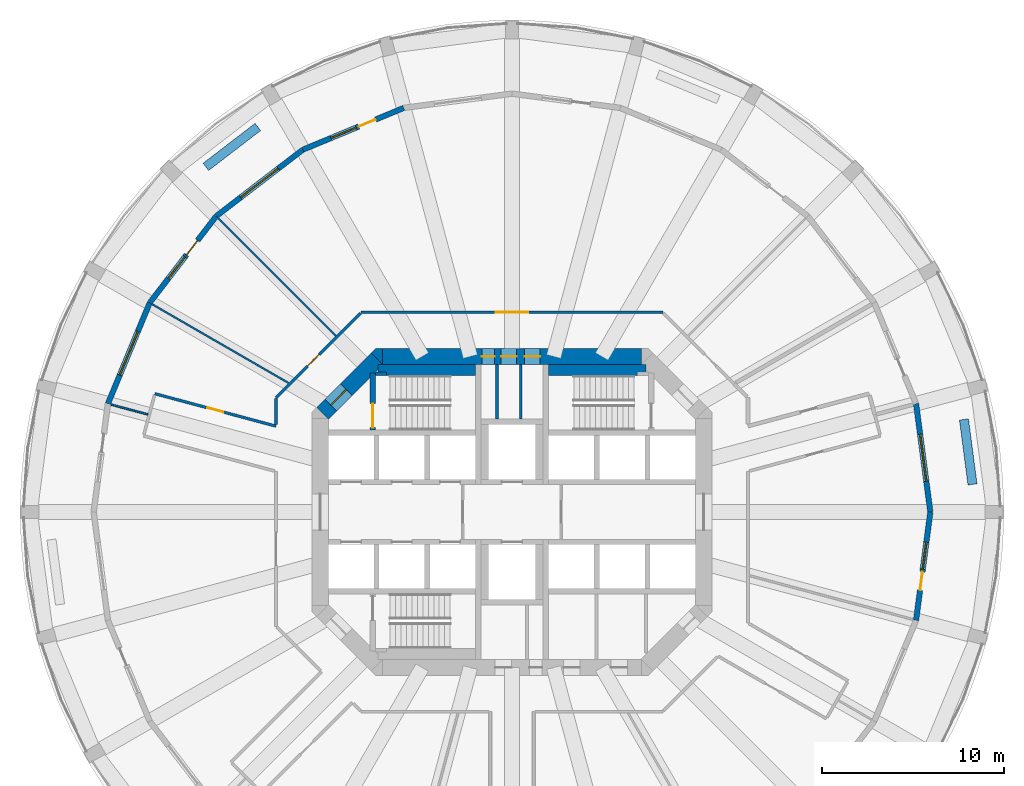
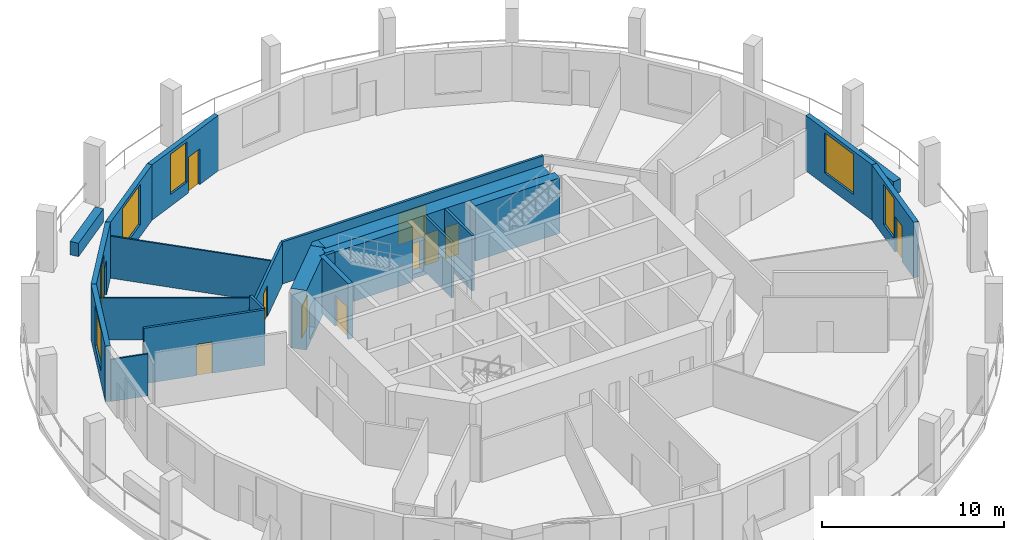
# One storey, part 5 of 9: 24 walls, 11 doors, 6 windows, 17 openings.
"""IFC4 building model written with IfcOpenShell, lengths in metres."""

from ifc_helpers import new_model, si_unit, direction, frame, frame_2d, origin, place, context, subcontext, project, spatial, polyline, rectangle, outline, extrude, material, layer, layer_set, type_object, element, fill, save


model = new_model("IFC4")

# Units and contexts
model_context = context("Model", 3, precision=1e-05, world=origin(), true_north=direction((0.0, 1.0)))
body_context = subcontext(model_context, "Body", "Model", "MODEL_VIEW")
ifc_project = project(units=[si_unit("LENGTHUNIT", "METRE"), si_unit("AREAUNIT", "SQUARE_METRE"), si_unit("VOLUMEUNIT", "CUBIC_METRE"), si_unit("PLANEANGLEUNIT", "RADIAN"), si_unit("MASSUNIT", "GRAM", prefix="KILO")], contexts=[model_context])

# Site, building, storey
site_placement = place(None, origin())
site = spatial("IfcSite", under=ifc_project, at=site_placement, CompositionType="ELEMENT")
building_placement = place(site_placement, origin())
building = spatial("IfcBuilding", under=site, at=building_placement, Name="Torre Triforio", CompositionType="ELEMENT")
storey_placement = place(building_placement, frame((0.0, 0.0, 39.0)))
storey = spatial("IfcBuildingStorey", under=building, at=storey_placement, Name="L07", CompositionType="ELEMENT", Elevation=39.0)

# Wall, openings, doors
ifc_material_1 = material(Name="Concrete C60", Category="concrete")
ifc_layer_1 = layer(ifc_material_1, 0.89990234375)
ifc_layer_set_1 = layer_set([ifc_layer_1], Name="Concrete C60")
wall_type_1 = type_object("IfcWallType", Name="Core wall 900 mm C60 EI 120", PredefinedType="SHEAR", material=ifc_layer_set_1)
wall_1_placement = place(storey_placement, frame((-7.1298828125, 8.550048828125, -0.280029296875), z_axis=(0.0, 0.0, 1.0), x_axis=(1.0, 0.0, 0.0)))
wall_1 = element("IfcWall", 1, at=wall_1_placement, inside=storey, type_object=wall_type_1, Name="Core wall", PredefinedType="SHEAR", context=body_context, shape_type="SweptSolid", body=[
    extrude(rectangle(XDim=14.259765625, YDim=0.89990234375, at=frame_2d((7.1298828125, 0.0))), origin(), (0.0, 0.0, 1.0), 4.0),
])
opening_1_placement = place(wall_1_placement, frame((5.47998046875, 0.0, 0.280029296875)))
opening_1 = element("IfcOpeningElement", 2, at=opening_1_placement, cuts=wall_1, Name="Opening RISER-N", PredefinedType="OPENING", context=body_context, shape_type="SweptSolid", body=[
    extrude(rectangle(XDim=0.699951171875, YDim=2.10009765625, at=frame_2d((0.35009765625, 1.050048828125))), frame((0.0, 0.4599609375, 0.0), z_axis=(0.0, -1.0, 0.0), x_axis=(1.0, 0.0, 0.0)), (0.0, 0.0, 1.0), 0.919921875),
])
opening_2_placement = place(wall_1_placement, frame((6.530029296875, 0.0, 0.280029296875)))
opening_2 = element("IfcOpeningElement", 3, at=opening_2_placement, cuts=wall_1, Name="Opening NE-01A", PredefinedType="OPENING", context=body_context, shape_type="SweptSolid", body=[
    extrude(rectangle(XDim=0.85009765625, YDim=2.10009765625, at=frame_2d((0.425048828125, 1.050048828125))), frame((0.0, 0.4599609375, 0.0), z_axis=(0.0, -1.0, 0.0), x_axis=(1.0, 0.0, 0.0)), (0.0, 0.0, 1.0), 0.919921875),
])
opening_3_placement = place(wall_1_placement, frame((7.830078125, 0.0, 0.280029296875)))
opening_3 = element("IfcOpeningElement", 4, at=opening_3_placement, cuts=wall_1, Name="Opening NE-02", PredefinedType="OPENING", context=body_context, shape_type="SweptSolid", body=[
    extrude(rectangle(XDim=0.85009765625, YDim=2.10009765625, at=frame_2d((0.425048828125, 1.050048828125))), frame((0.0, 0.4599609375, 0.0), z_axis=(0.0, -1.0, 0.0), x_axis=(1.0, 0.0, 0.0)), (0.0, 0.0, 1.0), 0.919921875),
])
ifc_material_2 = material(Name="Hollow metal fire door leaf")
door_type_1 = type_object("IfcDoorType", Name="Plant room door 850 x 2100 EI 60", OperationType="NOTDEFINED", PredefinedType="DOOR", material=ifc_material_2)
door_1_placement = place(opening_3_placement, origin())
door_1 = element("IfcDoor", 5, at=door_1_placement, inside=storey, type_object=door_type_1, Name="Core door NE-02", OperationType="SINGLE_SWING_RIGHT", OverallHeight=2.10009765625, OverallWidth=0.85009765625, PredefinedType="DOOR", context=body_context, shape_type="SweptSolid", body=[
    extrude(rectangle(XDim=0.85009765625, YDim=2.10009765625, at=frame_2d((0.425048828125, 1.050048828125))), frame((0.0, 0.02490234375, 0.0), z_axis=(0.0, -1.0, 0.0), x_axis=(1.0, 0.0, 0.0)), (0.0, 0.0, 1.0), 0.050048828125),
])
fill(opening_3, door_1)
door_type_2 = type_object("IfcDoorType", Name="Riser door 700 x 2100 EI 60", OperationType="NOTDEFINED", PredefinedType="DOOR", material=ifc_material_2)
door_2_placement = place(opening_1_placement, origin())
door_2 = element("IfcDoor", 6, at=door_2_placement, inside=storey, type_object=door_type_2, Name="Core door RISER-N", OperationType="SINGLE_SWING_LEFT", OverallHeight=2.10009765625, OverallWidth=0.699951171875, PredefinedType="DOOR", context=body_context, shape_type="SweptSolid", body=[
    extrude(rectangle(XDim=0.699951171875, YDim=2.10009765625, at=frame_2d((0.35009765625, 1.050048828125))), frame((0.0, 0.02490234375, 0.0), z_axis=(0.0, -1.0, 0.0), x_axis=(1.0, 0.0, 0.0)), (0.0, 0.0, 1.0), 0.050048828125),
])
fill(opening_1, door_2)
door_type_3 = type_object("IfcDoorType", Name="Room door 850 x 2100 EI 60", OperationType="NOTDEFINED", PredefinedType="DOOR", material=ifc_material_2)
door_3_placement = place(opening_2_placement, origin())
door_3 = element("IfcDoor", 7, at=door_3_placement, inside=storey, type_object=door_type_3, Name="Core door NE-01", OperationType="SINGLE_SWING_LEFT", OverallHeight=2.10009765625, OverallWidth=0.85009765625, PredefinedType="DOOR", context=body_context, shape_type="SweptSolid", body=[
    extrude(rectangle(XDim=0.85009765625, YDim=2.10009765625, at=frame_2d((0.425048828125, 1.050048828125))), frame((0.0, 0.02490234375, 0.0), z_axis=(0.0, -1.0, 0.0), x_axis=(1.0, 0.0, 0.0)), (0.0, 0.0, 1.0), 0.050048828125),
])
fill(opening_2, door_3)

# Wall, opening, door
wall_2_placement = place(storey_placement, frame((-10.418212890625, 5.418212890625, -0.280029296875), z_axis=(0.0, 0.0, 1.0), x_axis=(0.707106781187, 0.707106781187, 0.0)))
wall_2 = element("IfcWall", 8, at=wall_2_placement, inside=storey, type_object=wall_type_1, Name="Core wall", PredefinedType="SHEAR", context=body_context, shape_type="SweptSolid", body=[
    extrude(rectangle(XDim=4.24267578125, YDim=0.89990234375, at=frame_2d((2.121337890625, 0.0))), origin(), (0.0, 0.0, 1.0), 4.0),
])
opening_4_placement = place(wall_2_placement, frame((0.64990234375, 0.0, 0.280029296875)))
opening_4 = element("IfcOpeningElement", 9, at=opening_4_placement, cuts=wall_2, Name="Opening ST1-EXIT", PredefinedType="OPENING", context=body_context, shape_type="SweptSolid", body=[
    extrude(rectangle(XDim=1.199951171875, YDim=2.10009765625, at=frame_2d((0.60009765625, 1.050048828125))), frame((0.0, 0.4599609375, 0.0), z_axis=(0.0, -1.0, 0.0), x_axis=(1.0, 0.0, 0.0)), (0.0, 0.0, 1.0), 0.919921875),
])
door_type_4 = type_object("IfcDoorType", Name="Stair lobby door 1200 x 2100 EI 60", OperationType="NOTDEFINED", PredefinedType="DOOR", material=ifc_material_2)
door_4_placement = place(opening_4_placement, origin())
door_4 = element("IfcDoor", 10, at=door_4_placement, inside=storey, type_object=door_type_4, Name="Core door ST1-EXIT", OperationType="SINGLE_SWING_RIGHT", OverallHeight=2.10009765625, OverallWidth=1.199951171875, PredefinedType="DOOR", context=body_context, shape_type="SweptSolid", body=[
    extrude(rectangle(XDim=1.199951171875, YDim=2.10009765625, at=frame_2d((0.60009765625, 1.050048828125))), frame((0.0, 0.02490234375, 0.0), z_axis=(0.0, -1.0, 0.0), x_axis=(1.0, 0.0, 0.0)), (0.0, 0.0, 1.0), 0.050048828125),
])
fill(opening_4, door_4)

# Wall
wall_3_placement = place(storey_placement, frame((0.0, 0.0, -0.280029296875)))
element("IfcWall", 11, at=wall_3_placement, inside=storey, type_object=wall_type_1, Name="Core wall", PredefinedType="SHEAR", context=body_context, shape_type="SweptSolid", body=[
    extrude(outline(polyline([(-7.472900390625, 9.0), (-7.1298828125, 9.0), (-7.1298828125, 8.1298828125), (-7.736328125, 8.736328125), (-7.472900390625, 9.0)])), origin(), (0.0, 0.0, 1.0), 4.0),
])

# Wall, opening, door
ifc_material_3 = material(Name="Plasterboard on metal studs")
ifc_layer_2 = layer(ifc_material_3, 0.14990234375)
ifc_layer_set_2 = layer_set([ifc_layer_2], Name="Plasterboard on metal studs")
wall_type_2 = type_object("IfcWallType", Name="Corridor and tenancy wall 150 mm EI 60", PredefinedType="PARTITIONING", material=ifc_layer_set_2)
wall_4_placement = place(storey_placement, frame((-19.634521484375, 6.50341796875, 0.0), z_axis=(0.0, 0.0, 1.0), x_axis=(0.965924499418, -0.258823997003, 0.0)))
wall_4 = element("IfcWall", 12, at=wall_4_placement, inside=storey, type_object=wall_type_2, Name="Partition 17", PredefinedType="PARTITIONING", context=body_context, shape_type="SweptSolid", body=[
    extrude(rectangle(XDim=6.894287109375, YDim=0.14990234375, at=frame_2d((3.447265625, 0.0))), origin(), (0.0, 0.0, 1.0), 3.719970703125),
])
opening_5_placement = place(wall_4_placement, frame((2.997314453125, 0.0, 0.0)))
opening_5 = element("IfcOpeningElement", 13, at=opening_5_placement, cuts=wall_4, Name="Opening N2-03", PredefinedType="OPENING", context=body_context, shape_type="SweptSolid", body=[
    extrude(rectangle(XDim=0.89990234375, YDim=2.10009765625, at=frame_2d((0.449951171875, 1.050048828125))), frame((0.0, 0.0849609375, 0.0), z_axis=(0.0, -1.0, 0.0), x_axis=(1.0, 0.0, 0.0)), (0.0, 0.0, 1.0), 0.169921875),
])
ifc_material_4 = material(Name="Timber", Category="wood")
door_type_5 = type_object("IfcDoorType", Name="Door 900 x 2100 single leaf EI 30", OperationType="NOTDEFINED", PredefinedType="DOOR", material=ifc_material_4)
door_5_placement = place(opening_5_placement, origin())
door_5 = element("IfcDoor", 14, at=door_5_placement, inside=storey, type_object=door_type_5, Name="Door N2-03", OperationType="SINGLE_SWING_LEFT", OverallHeight=2.10009765625, OverallWidth=0.89990234375, PredefinedType="DOOR", context=body_context, shape_type="SweptSolid", body=[
    extrude(rectangle(XDim=0.89990234375, YDim=2.10009765625, at=frame_2d((0.449951171875, 1.050048828125))), frame((0.0, 0.02490234375, 0.0), z_axis=(0.0, -1.0, 0.0), x_axis=(1.0, 0.0, 0.0)), (0.0, 0.0, 1.0), 0.050048828125),
])
fill(opening_5, door_5)

# Wall
wall_5_placement = place(storey_placement, frame((-12.97509765625, 4.81640625, 0.0), z_axis=(0.0, 0.0, 1.0), x_axis=(0.0, 1.0, 0.0)))
element("IfcWall", 15, at=wall_5_placement, inside=storey, type_object=wall_type_2, Name="Partition 18", PredefinedType="PARTITIONING", context=body_context, shape_type="SweptSolid", body=[
    extrude(rectangle(XDim=1.421875, YDim=0.14990234375, at=frame_2d((0.7109375, 0.0))), origin(), (0.0, 0.0, 1.0), 3.719970703125),
])

# Wall, opening, door
wall_6_placement = place(storey_placement, frame((-12.97509765625, 6.291015625, 0.0), z_axis=(0.0, 0.0, 1.0), x_axis=(0.707125355289, 0.707088206597, 0.0)))
wall_6 = element("IfcWall", 16, at=wall_6_placement, inside=storey, type_object=wall_type_2, Name="Partition 19", PredefinedType="PARTITIONING", context=body_context, shape_type="SweptSolid", body=[
    extrude(rectangle(XDim=6.572021484375, YDim=0.14990234375, at=frame_2d((3.2861328125, 0.0))), origin(), (0.0, 0.0, 1.0), 2.820068359375),
])
opening_6_placement = place(wall_6_placement, frame((2.450439453125, 0.0, 0.0)))
opening_6 = element("IfcOpeningElement", 17, at=opening_6_placement, cuts=wall_6, Name="Opening N2-02", PredefinedType="OPENING", context=body_context, shape_type="SweptSolid", body=[
    extrude(rectangle(XDim=0.89990234375, YDim=2.10009765625, at=frame_2d((0.449951171875, 1.050048828125))), frame((0.0, 0.0849609375, 0.0), z_axis=(0.0, -1.0, 0.0), x_axis=(1.0, 0.0, 0.0)), (0.0, 0.0, 1.0), 0.169921875),
])
door_6_placement = place(opening_6_placement, origin())
door_6 = element("IfcDoor", 18, at=door_6_placement, inside=storey, type_object=door_type_5, Name="Door N2-02", OperationType="SINGLE_SWING_LEFT", OverallHeight=2.10009765625, OverallWidth=0.89990234375, PredefinedType="DOOR", context=body_context, shape_type="SweptSolid", body=[
    extrude(rectangle(XDim=0.89990234375, YDim=2.10009765625, at=frame_2d((0.449951171875, 1.050048828125))), frame((0.0, 0.02490234375, 0.0), z_axis=(0.0, -1.0, 0.0), x_axis=(1.0, 0.0, 0.0)), (0.0, 0.0, 1.0), 0.050048828125),
])
fill(opening_6, door_6)

wall_7_placement = place(storey_placement, frame((-8.291015625, 10.97509765625, 0.0), z_axis=(0.0, 0.0, 1.0), x_axis=(1.0, 0.0, 0.0)))
wall_7 = element("IfcWall", 19, at=wall_7_placement, inside=storey, type_object=wall_type_2, Name="Partition 20", PredefinedType="PARTITIONING", context=body_context, shape_type="SweptSolid", body=[
    extrude(rectangle(XDim=16.58203125, YDim=0.14990234375, at=frame_2d((8.291015625, 0.0))), origin(), (0.0, 0.0, 1.0), 2.820068359375),
])
opening_7_placement = place(wall_7_placement, frame((7.390869140625, 0.0, 0.0)))
opening_7 = element("IfcOpeningElement", 20, at=opening_7_placement, cuts=wall_7, Name="Opening N2-01", PredefinedType="OPENING", context=body_context, shape_type="SweptSolid", body=[
    extrude(rectangle(XDim=1.800048828125, YDim=2.10009765625, at=frame_2d((0.89990234375, 1.050048828125))), frame((0.0, 0.0849609375, 0.0), z_axis=(0.0, -1.0, 0.0), x_axis=(1.0, 0.0, 0.0)), (0.0, 0.0, 1.0), 0.169921875),
])
door_type_6 = type_object("IfcDoorType", Name="Door 1800 x 2100 double leaf EI 30", OperationType="DOUBLE_DOOR_SINGLE_SWING", PredefinedType="DOOR", material=ifc_material_4)
door_7_placement = place(opening_7_placement, origin())
door_7 = element("IfcDoor", 21, at=door_7_placement, inside=storey, type_object=door_type_6, Name="Door N2-01", OperationType="DOUBLE_DOOR_SINGLE_SWING", OverallHeight=2.10009765625, OverallWidth=1.800048828125, PredefinedType="DOOR", context=body_context, shape_type="SweptSolid", body=[
    extrude(rectangle(XDim=1.800048828125, YDim=2.10009765625, at=frame_2d((0.89990234375, 1.050048828125))), frame((0.0, 0.02490234375, 0.0), z_axis=(0.0, -1.0, 0.0), x_axis=(1.0, 0.0, 0.0)), (0.0, 0.0, 1.0), 0.050048828125),
])
fill(opening_7, door_7)

# Walls
ifc_layer_3 = layer(ifc_material_3, 0.10009765625)
ifc_layer_set_3 = layer_set([ifc_layer_3], Name="Plasterboard on metal studs")
wall_type_3 = type_object("IfcWallType", Name="Partition 100 mm board on metal studs", PredefinedType="PARTITIONING", material=ifc_layer_set_3)
wall_8_placement = place(storey_placement, frame((-9.68603515625, 9.68603515625, 0.0), z_axis=(0.0, 0.0, 1.0), x_axis=(-0.707106781187, 0.707106781187, 0.0)))
element("IfcWall", 22, at=wall_8_placement, inside=storey, type_object=wall_type_3, Name="Partition 33", PredefinedType="PARTITIONING", context=body_context, shape_type="SweptSolid", body=[
    extrude(rectangle(XDim=9.138427734375, YDim=0.10009765625, at=frame_2d((4.5693359375, 0.0))), origin(), (0.0, 0.0, 1.0), 2.820068359375),
])
wall_9_placement = place(storey_placement, frame((-12.294189453125, 7.097900390625, 0.0), z_axis=(0.0, 0.0, 1.0), x_axis=(-0.866010547425, 0.500025731086, 0.0)))
element("IfcWall", 23, at=wall_9_placement, inside=storey, type_object=wall_type_3, Name="Partition 34", PredefinedType="PARTITIONING", context=body_context, shape_type="SweptSolid", body=[
    extrude(rectangle(XDim=8.640625, YDim=0.10009765625, at=frame_2d((4.3203125, 0.0))), origin(), (0.0, 0.0, 1.0), 2.820068359375),
])
wall_10_placement = place(storey_placement, frame((-20.017578125, 5.36376953125, 0.0), z_axis=(0.0, 0.0, 1.0), x_axis=(-0.965927422152, 0.258813089189, 0.0)))
element("IfcWall", 24, at=wall_10_placement, inside=storey, type_object=wall_type_3, Name="Partition 35", PredefinedType="PARTITIONING", context=body_context, shape_type="SweptSolid", body=[
    extrude(rectangle(XDim=2.113037109375, YDim=0.10009765625, at=frame_2d((1.056640625, 0.0))), origin(), (0.0, 0.0, 1.0), 2.820068359375),
])
ifc_material_5 = material(Name="Block and board partition")
ifc_layer_4 = layer(ifc_material_5, 0.14990234375)
ifc_layer_set_4 = layer_set([ifc_layer_4], Name="Block and board partition")
wall_type_4 = type_object("IfcWallType", Name="Partition 150 mm", PredefinedType="PARTITIONING", material=ifc_layer_set_4)
wall_11_placement = place(storey_placement, frame((0.47509765625, 5.10009765625, 0.0), z_axis=(0.0, 0.0, 1.0), x_axis=(0.0, 1.0, 0.0)))
element("IfcWall", 25, at=wall_11_placement, inside=storey, type_object=wall_type_4, Name="Partition", PredefinedType="PARTITIONING", context=body_context, shape_type="SweptSolid", body=[
    extrude(rectangle(XDim=3.0, YDim=0.14990234375, at=frame_2d((1.5, 0.0))), origin(), (0.0, 0.0, 1.0), 3.719970703125),
])
ifc_layer_5 = layer(ifc_material_5, 0.14990234375)
ifc_layer_set_5 = layer_set([ifc_layer_5], Name="Block and board partition")
wall_type_5 = type_object("IfcWallType", Name="Partition 150 mm EI 120", PredefinedType="PARTITIONING", material=ifc_layer_set_5)
wall_12_placement = place(storey_placement, frame((-0.824951171875, 5.10009765625, 0.0), z_axis=(0.0, 0.0, 1.0), x_axis=(0.0, 1.0, 0.0)))
element("IfcWall", 26, at=wall_12_placement, inside=storey, type_object=wall_type_5, Name="Partition", PredefinedType="PARTITIONING", context=body_context, shape_type="SweptSolid", body=[
    extrude(rectangle(XDim=3.0, YDim=0.14990234375, at=frame_2d((1.5, 0.0))), origin(), (0.0, 0.0, 1.0), 3.719970703125),
])
ifc_material_6 = material(Name="Limestone cladding", Category="masonry")
ifc_layer_6 = layer(ifc_material_6, 0.10009765625)
ifc_material_7 = material(Name="Concrete C40", Category="concrete")
ifc_layer_7 = layer(ifc_material_7, 0.39990234375)
ifc_layer_set_6 = layer_set([ifc_layer_6, ifc_layer_7], Name="Limestone cladding / Concrete C40")
wall_type_6 = type_object("IfcWallType", Name="Planter wall 500", PredefinedType="PARAPET", material=ifc_layer_set_6)
wall_13_placement = place(storey_placement, frame((25.318603515625, 1.517578125, 0.0), z_axis=(0.0, 0.0, 1.0), x_axis=(-0.130542222659, 0.991442750795, 0.0)))
element("IfcWall", 27, at=wall_13_placement, inside=storey, type_object=wall_type_6, Name="Planter L07 bay 01", PredefinedType="PARAPET", context=body_context, shape_type="SweptSolid", body=[
    extrude(rectangle(XDim=3.60009765625, YDim=0.5, at=frame_2d((1.800048828125, 0.0))), origin(), (0.0, 0.0, 1.0), 0.89990234375),
])
wall_14_placement = place(storey_placement, frame((-13.9736328125, 21.16748046875, 0.0), z_axis=(0.0, 0.0, 1.0), x_axis=(-0.793359599829, -0.608753271334, 0.0)))
element("IfcWall", 28, at=wall_14_placement, inside=storey, type_object=wall_type_6, Name="Planter L07 bay 09", PredefinedType="PARAPET", context=body_context, shape_type="SweptSolid", body=[
    extrude(rectangle(XDim=3.599853515625, YDim=0.5, at=frame_2d((1.7998046875, 0.0))), origin(), (0.0, 0.0, 1.0), 0.89990234375),
])
ifc_layer_8 = layer(ifc_material_1, 0.199951171875)
ifc_layer_set_7 = layer_set([ifc_layer_8], Name="Concrete C60")
wall_type_7 = type_object("IfcWallType", Name="Stair wall 200 mm C60 EI 120", PredefinedType="SHEAR", material=ifc_layer_set_7)
wall_15_placement = place(storey_placement, frame((-7.5, 7.60009765625, 0.0), z_axis=(0.0, 0.0, 1.0), x_axis=(1.0, 0.0, 0.0)))
element("IfcWall", 29, at=wall_15_placement, inside=storey, type_object=wall_type_7, Name="Stair wall", PredefinedType="SHEAR", context=body_context, shape_type="SweptSolid", body=[
    extrude(rectangle(XDim=0.60009765625, YDim=0.199951171875, at=frame_2d((0.300048828125, 0.0))), origin(), (0.0, 0.0, 1.0), 3.719970703125),
])

# Wall, opening, door
ifc_layer_9 = layer(ifc_material_1, 0.300048828125)
ifc_layer_set_8 = layer_set([ifc_layer_9], Name="Concrete C60")
wall_type_8 = type_object("IfcWallType", Name="Stair wall 300 mm C60 EI 120", PredefinedType="SHEAR", material=ifc_layer_set_8)
wall_16_placement = place(storey_placement, frame((-7.64990234375, 4.5, 0.0), z_axis=(0.0, 0.0, 1.0), x_axis=(0.0, 1.0, 0.0)))
wall_16 = element("IfcWall", 30, at=wall_16_placement, inside=storey, type_object=wall_type_8, Name="Stair wall", PredefinedType="SHEAR", context=body_context, shape_type="SweptSolid", body=[
    extrude(rectangle(XDim=3.139892578125, YDim=0.300048828125, at=frame_2d((1.56982421875, 0.0))), origin(), (0.0, 0.0, 1.0), 3.719970703125),
])
opening_8_placement = place(wall_16_placement, frame((0.139892578125, 0.0, 0.0)))
opening_8 = element("IfcOpeningElement", 31, at=opening_8_placement, cuts=wall_16, Name="Opening ST1-STA", PredefinedType="OPENING", context=body_context, shape_type="SweptSolid", body=[
    extrude(rectangle(XDim=1.320068359375, YDim=2.10009765625, at=frame_2d((0.66015625, 1.050048828125))), frame((0.0, 0.159912109375, 0.0), z_axis=(0.0, -1.0, 0.0), x_axis=(1.0, 0.0, 0.0)), (0.0, 0.0, 1.0), 0.320068359375),
])
door_type_7 = type_object("IfcDoorType", Name="Stair door 1320 x 2100 EI 90", OperationType="DOUBLE_DOOR_SINGLE_SWING", PredefinedType="DOOR", material=ifc_material_2)
door_8_placement = place(opening_8_placement, origin())
door_8 = element("IfcDoor", 32, at=door_8_placement, inside=storey, type_object=door_type_7, Name="Core door ST1-ST", OperationType="DOUBLE_DOOR_SINGLE_SWING", OverallHeight=2.10009765625, OverallWidth=1.320068359375, PredefinedType="DOOR", context=body_context, shape_type="SweptSolid", body=[
    extrude(rectangle(XDim=1.320068359375, YDim=2.10009765625, at=frame_2d((0.66015625, 1.050048828125))), frame((0.0, 0.02490234375, 0.0), z_axis=(0.0, -1.0, 0.0), x_axis=(1.0, 0.0, 0.0)), (0.0, 0.0, 1.0), 0.050048828125),
])
fill(opening_8, door_8)

# Walls
ifc_layer_10 = layer(ifc_material_1, 0.60009765625)
ifc_layer_set_9 = layer_set([ifc_layer_10], Name="Concrete C60")
wall_type_9 = type_object("IfcWallType", Name="Stair wall 600 mm C60 EI 120", PredefinedType="SHEAR", material=ifc_layer_set_9)
for number, where, z_axis, x_axis, name in (
    (33, (-7.3701171875, 7.800048828125, 0.0), (0.0, 0.0, 1.0), (1.0, 0.0, 0.0), "Stair wall"),
    (34, (2.0, 7.800048828125, 0.0), (0.0, 0.0, 1.0), (1.0, 0.0, 0.0), "Stair wall"),
):
    element("IfcWall", number, at=place(storey_placement, frame(where, z_axis=z_axis, x_axis=x_axis)), inside=storey, type_object=wall_type_9, Name=name, PredefinedType="SHEAR", context=body_context, shape_type="SweptSolid", body=[
        extrude(rectangle(XDim=5.3701171875, YDim=0.60009765625, at=frame_2d((2.68505859375, 0.0))), origin(), (0.0, 0.0, 1.0), 3.719970703125),
    ])

# Wall, opening, window
ifc_layer_11 = layer(ifc_material_6, 0.10009765625)
ifc_layer_12 = layer(ifc_material_7, 0.199951171875)
ifc_layer_set_10 = layer_set([ifc_layer_11, ifc_layer_12], Name="Limestone cladding / Concrete C40")
wall_type_10 = type_object("IfcWallType", Name="Stone-faced composite wall 300", PredefinedType="STANDARD", material=ifc_layer_set_10)
wall_17_placement = place(storey_placement, frame((23.0, 0.0, 0.0), z_axis=(0.0, 0.0, 1.0), x_axis=(-0.130522880875, 0.991445297315, 0.0)))
wall_17 = element("IfcWall", 35, at=wall_17_placement, inside=storey, type_object=wall_type_10, Name="External wall L07 bay 01", PredefinedType="STANDARD", context=body_context, shape_type="SweptSolid", body=[
    extrude(rectangle(XDim=6.004150390625, YDim=0.300048828125, at=frame_2d((3.001953125, 0.0))), origin(), (0.0, 0.0, 1.0), 3.719970703125),
])
opening_9_placement = place(wall_17_placement, frame((1.7021484375, 0.0, 0.800048828125)))
opening_9 = element("IfcOpeningElement", 36, at=opening_9_placement, cuts=wall_17, Name="Opening N2-W01", PredefinedType="OPENING", context=body_context, shape_type="SweptSolid", body=[
    extrude(rectangle(XDim=2.60009765625, YDim=2.699951171875, at=frame_2d((1.300048828125, 1.35009765625))), frame((0.0, 0.159912109375, 0.0), z_axis=(0.0, -1.0, 0.0), x_axis=(1.0, 0.0, 0.0)), (0.0, 0.0, 1.0), 0.320068359375),
])
ifc_material_8 = material(Name="Aluminium frame with clear double glazing", Category="aluminium")
window_type_1 = type_object("IfcWindowType", Name="Punched window 2600 x 2700", PartitioningType="DOUBLE_PANEL_VERTICAL", PredefinedType="WINDOW", material=ifc_material_8)
window_1_placement = place(opening_9_placement, origin())
window_1 = element("IfcWindow", 37, at=window_1_placement, inside=storey, type_object=window_type_1, Name="Window EWN2 L07 bay 01", OverallHeight=2.699951171875, OverallWidth=2.60009765625, PartitioningType="SINGLE_PANEL", PredefinedType="WINDOW", context=body_context, shape_type="SweptSolid", body=[
    extrude(rectangle(XDim=2.60009765625, YDim=2.699951171875, at=frame_2d((1.300048828125, 1.35009765625))), frame((0.0, 0.030029296875, 0.0), z_axis=(0.0, -1.0, 0.0), x_axis=(1.0, 0.0, 0.0)), (0.0, 0.0, 1.0), 0.06005859375),
])
fill(opening_9, window_1)

# Wall, openings, door, window
wall_18_placement = place(storey_placement, frame((-5.952880859375, 22.21630859375, 0.0), z_axis=(0.0, 0.0, 1.0), x_axis=(-0.923884511653, -0.382671411433, 0.0)))
wall_18 = element("IfcWall", 38, at=wall_18_placement, inside=storey, type_object=wall_type_10, Name="External wall L07 bay 08", PredefinedType="STANDARD", context=body_context, shape_type="SweptSolid", body=[
    extrude(rectangle(XDim=6.004150390625, YDim=0.300048828125, at=frame_2d((3.001953125, 0.0))), origin(), (0.0, 0.0, 1.0), 3.719970703125),
])
opening_10_placement = place(wall_18_placement, frame((1.677001953125, 0.0, 0.0)))
opening_10 = element("IfcOpeningElement", 39, at=opening_10_placement, cuts=wall_18, Name="Opening N2-D08", PredefinedType="OPENING", context=body_context, shape_type="SweptSolid", body=[
    extrude(rectangle(XDim=1.0, YDim=2.39990234375, at=frame_2d((0.5, 1.199951171875))), frame((0.0, 0.159912109375, 0.0), z_axis=(0.0, -1.0, 0.0), x_axis=(1.0, 0.0, 0.0)), (0.0, 0.0, 1.0), 0.320068359375),
])
opening_11_placement = place(wall_18_placement, frame((2.8271484375, 0.0, 0.800048828125)))
opening_11 = element("IfcOpeningElement", 40, at=opening_11_placement, cuts=wall_18, Name="Opening N2-W08A", PredefinedType="OPENING", context=body_context, shape_type="SweptSolid", body=[
    extrude(rectangle(XDim=1.5, YDim=2.699951171875, at=frame_2d((0.75, 1.35009765625))), frame((0.0, 0.159912109375, 0.0), z_axis=(0.0, -1.0, 0.0), x_axis=(1.0, 0.0, 0.0)), (0.0, 0.0, 1.0), 0.320068359375),
])
door_type_8 = type_object("IfcDoorType", Name="Loggia door 1000 x 2400", OperationType="NOTDEFINED", PredefinedType="DOOR", material=ifc_material_8)
door_9_placement = place(opening_10_placement, origin())
door_9 = element("IfcDoor", 41, at=door_9_placement, inside=storey, type_object=door_type_8, Name="Loggia door L07 bay 08", OperationType="SINGLE_SWING_LEFT", OverallHeight=2.39990234375, OverallWidth=1.0, PredefinedType="DOOR", context=body_context, shape_type="SweptSolid", body=[
    extrude(rectangle(XDim=1.0, YDim=2.39990234375, at=frame_2d((0.5, 1.199951171875))), frame((0.0, 0.02490234375, 0.0), z_axis=(0.0, -1.0, 0.0), x_axis=(1.0, 0.0, 0.0)), (0.0, 0.0, 1.0), 0.050048828125),
])
fill(opening_10, door_9)
window_type_2 = type_object("IfcWindowType", Name="Side window 1500 x 2700", PartitioningType="SINGLE_PANEL", PredefinedType="WINDOW", material=ifc_material_8)
window_2_placement = place(opening_11_placement, origin())
window_2 = element("IfcWindow", 42, at=window_2_placement, inside=storey, type_object=window_type_2, Name="Side window EWN12 L07 bay 08", OverallHeight=2.699951171875, OverallWidth=1.5, PartitioningType="SINGLE_PANEL", PredefinedType="WINDOW", context=body_context, shape_type="SweptSolid", body=[
    extrude(rectangle(XDim=1.5, YDim=2.699951171875, at=frame_2d((0.75, 1.35009765625))), frame((0.0, 0.030029296875, 0.0), z_axis=(0.0, -1.0, 0.0), x_axis=(1.0, 0.0, 0.0)), (0.0, 0.0, 1.0), 0.06005859375),
])
fill(opening_11, window_2)

# Wall, opening, window
wall_19_placement = place(storey_placement, frame((-11.5, 19.918701171875, 0.0), z_axis=(0.0, 0.0, 1.0), x_axis=(-0.793339924758, -0.608778912074, 0.0)))
wall_19 = element("IfcWall", 43, at=wall_19_placement, inside=storey, type_object=wall_type_10, Name="External wall L07 bay 09", PredefinedType="STANDARD", context=body_context, shape_type="SweptSolid", body=[
    extrude(rectangle(XDim=6.004150390625, YDim=0.300048828125, at=frame_2d((3.001953125, 0.0))), origin(), (0.0, 0.0, 1.0), 3.719970703125),
])
opening_12_placement = place(wall_19_placement, frame((1.7021484375, 0.0, 0.800048828125)))
opening_12 = element("IfcOpeningElement", 44, at=opening_12_placement, cuts=wall_19, Name="Opening N2-W09", PredefinedType="OPENING", context=body_context, shape_type="SweptSolid", body=[
    extrude(rectangle(XDim=2.60009765625, YDim=2.699951171875, at=frame_2d((1.300048828125, 1.35009765625))), frame((0.0, 0.159912109375, 0.0), z_axis=(0.0, -1.0, 0.0), x_axis=(1.0, 0.0, 0.0)), (0.0, 0.0, 1.0), 0.320068359375),
])
window_3_placement = place(opening_12_placement, origin())
window_3 = element("IfcWindow", 45, at=window_3_placement, inside=storey, type_object=window_type_1, Name="Window EWN2 L07 bay 09", OverallHeight=2.699951171875, OverallWidth=2.60009765625, PartitioningType="SINGLE_PANEL", PredefinedType="WINDOW", context=body_context, shape_type="SweptSolid", body=[
    extrude(rectangle(XDim=2.60009765625, YDim=2.699951171875, at=frame_2d((1.300048828125, 1.35009765625))), frame((0.0, 0.030029296875, 0.0), z_axis=(0.0, -1.0, 0.0), x_axis=(1.0, 0.0, 0.0)), (0.0, 0.0, 1.0), 0.06005859375),
])
fill(opening_12, window_3)

# Wall, openings, door, window
wall_20_placement = place(storey_placement, frame((-16.263427734375, 16.263427734375, 0.0), z_axis=(0.0, 0.0, 1.0), x_axis=(-0.608778912074, -0.793339924758, 0.0)))
wall_20 = element("IfcWall", 46, at=wall_20_placement, inside=storey, type_object=wall_type_10, Name="External wall L07 bay 10", PredefinedType="STANDARD", context=body_context, shape_type="SweptSolid", body=[
    extrude(rectangle(XDim=6.004150390625, YDim=0.300048828125, at=frame_2d((3.001953125, 0.0))), origin(), (0.0, 0.0, 1.0), 3.719970703125),
])
opening_13_placement = place(wall_20_placement, frame((1.677001953125, 0.0, 0.0)))
opening_13 = element("IfcOpeningElement", 47, at=opening_13_placement, cuts=wall_20, Name="Opening N2-D10", PredefinedType="OPENING", context=body_context, shape_type="SweptSolid", body=[
    extrude(rectangle(XDim=1.0, YDim=2.39990234375, at=frame_2d((0.5, 1.199951171875))), frame((0.0, 0.159912109375, 0.0), z_axis=(0.0, -1.0, 0.0), x_axis=(1.0, 0.0, 0.0)), (0.0, 0.0, 1.0), 0.320068359375),
])
opening_14_placement = place(wall_20_placement, frame((2.8271484375, 0.0, 0.800048828125)))
opening_14 = element("IfcOpeningElement", 48, at=opening_14_placement, cuts=wall_20, Name="Opening N2-W10A", PredefinedType="OPENING", context=body_context, shape_type="SweptSolid", body=[
    extrude(rectangle(XDim=1.5, YDim=2.699951171875, at=frame_2d((0.75, 1.35009765625))), frame((0.0, 0.159912109375, 0.0), z_axis=(0.0, -1.0, 0.0), x_axis=(1.0, 0.0, 0.0)), (0.0, 0.0, 1.0), 0.320068359375),
])
door_10_placement = place(opening_13_placement, origin())
door_10 = element("IfcDoor", 49, at=door_10_placement, inside=storey, type_object=door_type_8, Name="Loggia door L07 bay 10", OperationType="SINGLE_SWING_LEFT", OverallHeight=2.39990234375, OverallWidth=1.0, PredefinedType="DOOR", context=body_context, shape_type="SweptSolid", body=[
    extrude(rectangle(XDim=1.0, YDim=2.39990234375, at=frame_2d((0.5, 1.199951171875))), frame((0.0, 0.02490234375, 0.0), z_axis=(0.0, -1.0, 0.0), x_axis=(1.0, 0.0, 0.0)), (0.0, 0.0, 1.0), 0.050048828125),
])
fill(opening_13, door_10)
window_4_placement = place(opening_14_placement, origin())
window_4 = element("IfcWindow", 50, at=window_4_placement, inside=storey, type_object=window_type_2, Name="Side window EWN12 L07 bay 10", OverallHeight=2.699951171875, OverallWidth=1.5, PartitioningType="SINGLE_PANEL", PredefinedType="WINDOW", context=body_context, shape_type="SweptSolid", body=[
    extrude(rectangle(XDim=1.5, YDim=2.699951171875, at=frame_2d((0.75, 1.35009765625))), frame((0.0, 0.030029296875, 0.0), z_axis=(0.0, -1.0, 0.0), x_axis=(1.0, 0.0, 0.0)), (0.0, 0.0, 1.0), 0.06005859375),
])
fill(opening_14, window_4)

# Wall, opening, window
wall_21_placement = place(storey_placement, frame((-19.918701171875, 11.5, 0.0), z_axis=(0.0, 0.0, 1.0), x_axis=(-0.382671411433, -0.923884511653, 0.0)))
wall_21 = element("IfcWall", 51, at=wall_21_placement, inside=storey, type_object=wall_type_10, Name="External wall L07 bay 11", PredefinedType="STANDARD", context=body_context, shape_type="SweptSolid", body=[
    extrude(rectangle(XDim=6.004150390625, YDim=0.300048828125, at=frame_2d((3.001953125, 0.0))), origin(), (0.0, 0.0, 1.0), 3.719970703125),
])
opening_15_placement = place(wall_21_placement, frame((1.7021484375, 0.0, 0.800048828125)))
opening_15 = element("IfcOpeningElement", 52, at=opening_15_placement, cuts=wall_21, Name="Opening N2-W11", PredefinedType="OPENING", context=body_context, shape_type="SweptSolid", body=[
    extrude(rectangle(XDim=2.60009765625, YDim=2.699951171875, at=frame_2d((1.300048828125, 1.35009765625))), frame((0.0, 0.159912109375, 0.0), z_axis=(0.0, -1.0, 0.0), x_axis=(1.0, 0.0, 0.0)), (0.0, 0.0, 1.0), 0.320068359375),
])
window_5_placement = place(opening_15_placement, origin())
window_5 = element("IfcWindow", 53, at=window_5_placement, inside=storey, type_object=window_type_1, Name="Window EWN2 L07 bay 11", OverallHeight=2.699951171875, OverallWidth=2.60009765625, PartitioningType="SINGLE_PANEL", PredefinedType="WINDOW", context=body_context, shape_type="SweptSolid", body=[
    extrude(rectangle(XDim=2.60009765625, YDim=2.699951171875, at=frame_2d((1.300048828125, 1.35009765625))), frame((0.0, 0.030029296875, 0.0), z_axis=(0.0, -1.0, 0.0), x_axis=(1.0, 0.0, 0.0)), (0.0, 0.0, 1.0), 0.06005859375),
])
fill(opening_15, window_5)

# Wall, openings, door, window
wall_22_placement = place(storey_placement, frame((22.21630859375, -5.952880859375, 0.0), z_axis=(0.0, 0.0, 1.0), x_axis=(0.130522880875, 0.991445297315, 0.0)))
wall_22 = element("IfcWall", 54, at=wall_22_placement, inside=storey, type_object=wall_type_10, Name="External wall L07 bay 24", PredefinedType="STANDARD", context=body_context, shape_type="SweptSolid", body=[
    extrude(rectangle(XDim=6.004150390625, YDim=0.300048828125, at=frame_2d((3.001953125, 0.0))), origin(), (0.0, 0.0, 1.0), 3.719970703125),
])
opening_16_placement = place(wall_22_placement, frame((1.677001953125, 0.0, 0.0)))
opening_16 = element("IfcOpeningElement", 55, at=opening_16_placement, cuts=wall_22, Name="Opening N2-D24", PredefinedType="OPENING", context=body_context, shape_type="SweptSolid", body=[
    extrude(rectangle(XDim=1.0, YDim=2.39990234375, at=frame_2d((0.5, 1.199951171875))), frame((0.0, 0.159912109375, 0.0), z_axis=(0.0, -1.0, 0.0), x_axis=(1.0, 0.0, 0.0)), (0.0, 0.0, 1.0), 0.320068359375),
])
opening_17_placement = place(wall_22_placement, frame((2.8271484375, 0.0, 0.800048828125)))
opening_17 = element("IfcOpeningElement", 56, at=opening_17_placement, cuts=wall_22, Name="Opening N2-W24A", PredefinedType="OPENING", context=body_context, shape_type="SweptSolid", body=[
    extrude(rectangle(XDim=1.5, YDim=2.699951171875, at=frame_2d((0.75, 1.35009765625))), frame((0.0, 0.159912109375, 0.0), z_axis=(0.0, -1.0, 0.0), x_axis=(1.0, 0.0, 0.0)), (0.0, 0.0, 1.0), 0.320068359375),
])
door_11_placement = place(opening_16_placement, origin())
door_11 = element("IfcDoor", 57, at=door_11_placement, inside=storey, type_object=door_type_8, Name="Loggia door L07 bay 24", OperationType="SINGLE_SWING_LEFT", OverallHeight=2.39990234375, OverallWidth=1.0, PredefinedType="DOOR", context=body_context, shape_type="SweptSolid", body=[
    extrude(rectangle(XDim=1.0, YDim=2.39990234375, at=frame_2d((0.5, 1.199951171875))), frame((0.0, 0.02490234375, 0.0), z_axis=(0.0, -1.0, 0.0), x_axis=(1.0, 0.0, 0.0)), (0.0, 0.0, 1.0), 0.050048828125),
])
fill(opening_16, door_11)
window_6_placement = place(opening_17_placement, origin())
window_6 = element("IfcWindow", 58, at=window_6_placement, inside=storey, type_object=window_type_2, Name="Side window EWN12 L07 bay 24", OverallHeight=2.699951171875, OverallWidth=1.5, PartitioningType="SINGLE_PANEL", PredefinedType="WINDOW", context=body_context, shape_type="SweptSolid", body=[
    extrude(rectangle(XDim=1.5, YDim=2.699951171875, at=frame_2d((0.75, 1.35009765625))), frame((0.0, 0.030029296875, 0.0), z_axis=(0.0, -1.0, 0.0), x_axis=(1.0, 0.0, 0.0)), (0.0, 0.0, 1.0), 0.06005859375),
])
fill(opening_17, window_6)

save(model, "model.ifc")
